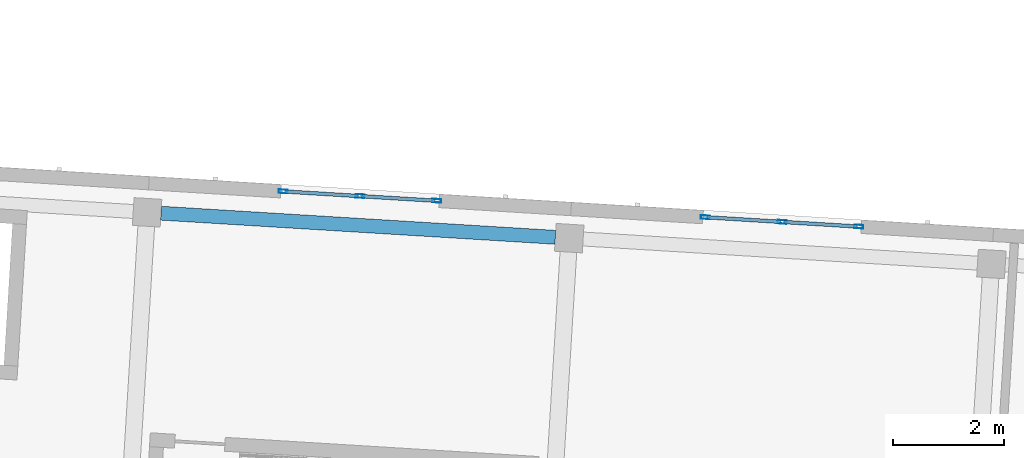
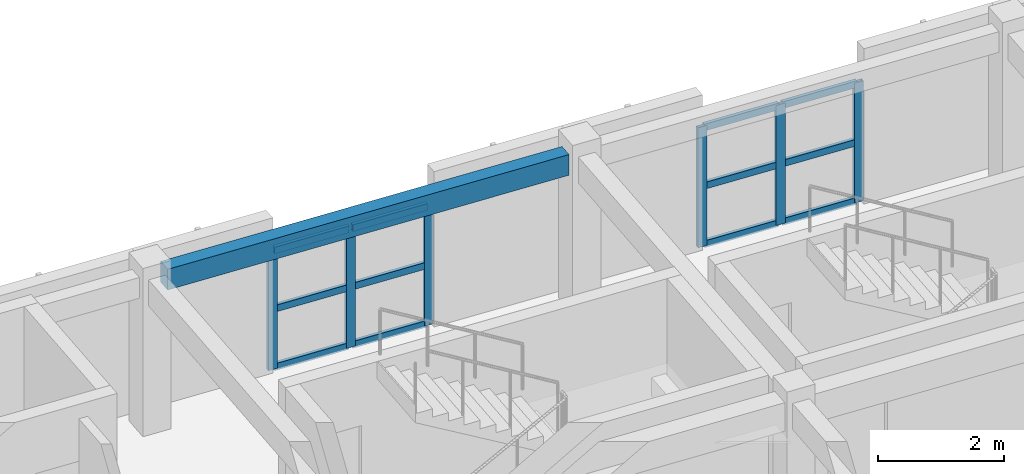
# One storey, part 7 of 66: 18 members, 1 beam, 2 elements without a shape of their own.
"""IFC4 building model written with IfcOpenShell, lengths in metres."""

from ifc_helpers import new_model, si_unit, direction, frame, origin, origin_2d, place, context, subcontext, project, spatial, rectangle, hollow_rectangle, extrude, material, material_profile, profile_set, type_object, element, aggregate, save


model = new_model("IFC4")

# Units and contexts
model_context = context("Model", 3, precision=1e-05, world=origin(), true_north=direction((0.0, 1.0)))
body_context = subcontext(model_context, "Body", "Model", "MODEL_VIEW")
ifc_project = project(units=[si_unit("LENGTHUNIT", "METRE"), si_unit("AREAUNIT", "SQUARE_METRE"), si_unit("VOLUMEUNIT", "CUBIC_METRE"), si_unit("PLANEANGLEUNIT", "RADIAN"), si_unit("MASSUNIT", "GRAM", prefix="KILO")], contexts=[model_context])

# Site, building, storey
site_placement = place(None, origin())
site = spatial("IfcSite", under=ifc_project, at=site_placement, CompositionType="ELEMENT")
building_placement = place(site_placement, origin())
building = spatial("IfcBuilding", under=site, at=building_placement, Name="Kestramere Prow Commons", CompositionType="ELEMENT")
storey_placement = place(building_placement, frame((0.0, 0.0, 14.89990234375)))
storey = spatial("IfcBuildingStorey", under=building, at=storey_placement, Name="L04", CompositionType="ELEMENT", Elevation=14.89990234375)

# Curtain wall, members
ifc_material_1 = material(Name="Anodised Aluminium and Low-E Glass", Category="aluminium")
curtain_wall_type = type_object("IfcCurtainWallType", Name="CW-03 Glazed Curtain Wall 2830x2320", PredefinedType="USERDEFINED", material=ifc_material_1)
curtain_wall_1_placement = place(storey_placement, origin())
curtain_wall_1 = element("IfcCurtainWall", 1, at=curtain_wall_1_placement, inside=storey, type_object=curtain_wall_type, Name="Block C L04 Stairwell Vertical Glazing 2", ObjectType="GLAZED CURTAIN WALL", PredefinedType="USERDEFINED")
ifc_material_2 = material(Name="Anodised Aluminium 6063-T6", Category="aluminium")
ifc_material_profile_1 = material_profile(ifc_material_2, hollow_rectangle(XDim=0.06494140625, YDim=0.159912109375, WallThickness=0.00390625, at=origin_2d()), Name="ALU-MUL 65x160")
ifc_profile_set_1 = profile_set([ifc_material_profile_1], Name="Anodised Aluminium 6063-T6")
member_type_1 = type_object("IfcMemberType", Name="CW-MUL-65x160", PredefinedType="MULLION", material=ifc_profile_set_1)
member_1_placement = place(storey_placement, frame((70.7275390625, 65.975830078125, 0.0), z_axis=(0.0, 0.0, 1.0), x_axis=(0.061048420708, 0.99813480569, 0.0)))
member_1 = element("IfcMember", 2, at=member_1_placement, type_object=member_type_1, Name="CW-03 mullion 1", PredefinedType="MULLION", context=body_context, shape_type="SweptSolid", body=[
    extrude(hollow_rectangle(XDim=0.06494140625, YDim=0.159912109375, WallThickness=0.00390625, at=origin_2d()), origin(), (0.0, 0.0, 1.0), 2.320068359375),
])
member_2_placement = place(storey_placement, frame((72.107421875, 65.8916015625, 0.0), z_axis=(0.0, 0.0, 1.0), x_axis=(0.061048420708, 0.99813480569, 0.0)))
member_2 = element("IfcMember", 3, at=member_2_placement, type_object=member_type_1, Name="CW-03 mullion 2", PredefinedType="MULLION", context=body_context, shape_type="SweptSolid", body=[
    extrude(hollow_rectangle(XDim=0.06494140625, YDim=0.159912109375, WallThickness=0.00390625, at=origin_2d()), origin(), (0.0, 0.0, 1.0), 2.320068359375),
])
member_3_placement = place(storey_placement, frame((73.4873046875, 65.80712890625, 0.0), z_axis=(0.0, 0.0, 1.0), x_axis=(0.061048420708, 0.99813480569, 0.0)))
member_3 = element("IfcMember", 4, at=member_3_placement, type_object=member_type_1, Name="CW-03 mullion 3", PredefinedType="MULLION", context=body_context, shape_type="SweptSolid", body=[
    extrude(hollow_rectangle(XDim=0.06494140625, YDim=0.159912109375, WallThickness=0.00390625, at=origin_2d()), origin(), (0.0, 0.0, 1.0), 2.320068359375),
])

curtain_wall_2_placement = place(storey_placement, origin())
curtain_wall_2 = element("IfcCurtainWall", 5, at=curtain_wall_2_placement, inside=storey, type_object=curtain_wall_type, Name="Block C L04 Stairwell Vertical Glazing 3", ObjectType="GLAZED CURTAIN WALL", PredefinedType="USERDEFINED")
member_4_placement = place(storey_placement, frame((78.313232421875, 65.511962890625, 0.0), z_axis=(0.0, 0.0, 1.0), x_axis=(0.061048399176, 0.998134807007, 0.0)))
member_4 = element("IfcMember", 6, at=member_4_placement, type_object=member_type_1, Name="CW-03 mullion 1", PredefinedType="MULLION", context=body_context, shape_type="SweptSolid", body=[
    extrude(hollow_rectangle(XDim=0.06494140625, YDim=0.159912109375, WallThickness=0.00390625, at=origin_2d()), origin(), (0.0, 0.0, 1.0), 2.320068359375),
])
member_5_placement = place(storey_placement, frame((79.693115234375, 65.427490234375, 0.0), z_axis=(0.0, 0.0, 1.0), x_axis=(0.061048399176, 0.998134807007, 0.0)))
member_5 = element("IfcMember", 7, at=member_5_placement, type_object=member_type_1, Name="CW-03 mullion 2", PredefinedType="MULLION", context=body_context, shape_type="SweptSolid", body=[
    extrude(hollow_rectangle(XDim=0.06494140625, YDim=0.159912109375, WallThickness=0.00390625, at=origin_2d()), origin(), (0.0, 0.0, 1.0), 2.320068359375),
])
member_6_placement = place(storey_placement, frame((81.072998046875, 65.34326171875, 0.0), z_axis=(0.0, 0.0, 1.0), x_axis=(0.061048399176, 0.998134807007, 0.0)))
member_6 = element("IfcMember", 8, at=member_6_placement, type_object=member_type_1, Name="CW-03 mullion 3", PredefinedType="MULLION", context=body_context, shape_type="SweptSolid", body=[
    extrude(hollow_rectangle(XDim=0.06494140625, YDim=0.159912109375, WallThickness=0.00390625, at=origin_2d()), origin(), (0.0, 0.0, 1.0), 2.320068359375),
])

# Member
ifc_material_profile_2 = material_profile(ifc_material_2, hollow_rectangle(XDim=0.06494140625, YDim=0.1298828125, WallThickness=0.00390625, at=origin_2d()), Name="ALU-TRN 65x130")
ifc_profile_set_2 = profile_set([ifc_material_profile_2], Name="Anodised Aluminium 6063-T6")
member_type_2 = type_object("IfcMemberType", Name="CW-TRN-65x130", PredefinedType="USERDEFINED", material=ifc_profile_set_2)
member_7_placement = place(storey_placement, frame((70.759765625, 65.973876953125, 0.03271484375), z_axis=(0.998140248091, -0.060959372865, 0.0), x_axis=(0.060959372865, 0.998140248091, 0.0)))
member_7 = element("IfcMember", 9, at=member_7_placement, type_object=member_type_2, Name="CW-03 transom 1.1", ObjectType="TRANSOM", PredefinedType="USERDEFINED", context=body_context, shape_type="SweptSolid", body=[
    extrude(hollow_rectangle(XDim=0.06494140625, YDim=0.1298828125, WallThickness=0.00390625, at=origin_2d()), origin(), (0.0, 0.0, 1.0), 1.317626953125),
])

member_8_placement = place(storey_placement, frame((70.759765625, 65.973876953125, 1.16015625), z_axis=(0.998140248091, -0.060959372865, 0.0), x_axis=(0.060959372865, 0.998140248091, 0.0)))
member_8 = element("IfcMember", 10, at=member_8_placement, type_object=member_type_2, Name="CW-03 transom 1.2", ObjectType="TRANSOM", PredefinedType="USERDEFINED", context=body_context, shape_type="SweptSolid", body=[
    extrude(hollow_rectangle(XDim=0.06494140625, YDim=0.1298828125, WallThickness=0.00390625, at=origin_2d()), origin(), (0.0, 0.0, 1.0), 1.317626953125),
])

member_9_placement = place(storey_placement, frame((70.759765625, 65.973876953125, 2.28759765625), z_axis=(0.998140248091, -0.060959372865, 0.0), x_axis=(0.060959372865, 0.998140248091, 0.0)))
member_9 = element("IfcMember", 11, at=member_9_placement, type_object=member_type_2, Name="CW-03 transom 1.3", ObjectType="TRANSOM", PredefinedType="USERDEFINED", context=body_context, shape_type="SweptSolid", body=[
    extrude(hollow_rectangle(XDim=0.06494140625, YDim=0.1298828125, WallThickness=0.00390625, at=origin_2d()), origin(), (0.0, 0.0, 1.0), 1.317626953125),
])

member_10_placement = place(storey_placement, frame((72.139892578125, 65.889404296875, 0.03271484375), z_axis=(0.998139559366, -0.06097064891, 0.0), x_axis=(0.06097064891, 0.998139559366, 0.0)))
member_10 = element("IfcMember", 12, at=member_10_placement, type_object=member_type_2, Name="CW-03 transom 2.1", ObjectType="TRANSOM", PredefinedType="USERDEFINED", context=body_context, shape_type="SweptSolid", body=[
    extrude(hollow_rectangle(XDim=0.06494140625, YDim=0.1298828125, WallThickness=0.00390625, at=origin_2d()), origin(), (0.0, 0.0, 1.0), 1.3173828125),
])

member_11_placement = place(storey_placement, frame((72.139892578125, 65.889404296875, 1.16015625), z_axis=(0.998139559366, -0.06097064891, 0.0), x_axis=(0.06097064891, 0.998139559366, 0.0)))
member_11 = element("IfcMember", 13, at=member_11_placement, type_object=member_type_2, Name="CW-03 transom 2.2", ObjectType="TRANSOM", PredefinedType="USERDEFINED", context=body_context, shape_type="SweptSolid", body=[
    extrude(hollow_rectangle(XDim=0.06494140625, YDim=0.1298828125, WallThickness=0.00390625, at=origin_2d()), origin(), (0.0, 0.0, 1.0), 1.3173828125),
])

member_12_placement = place(storey_placement, frame((72.139892578125, 65.889404296875, 2.28759765625), z_axis=(0.998139559366, -0.06097064891, 0.0), x_axis=(0.06097064891, 0.998139559366, 0.0)))
member_12 = element("IfcMember", 14, at=member_12_placement, type_object=member_type_2, Name="CW-03 transom 2.3", ObjectType="TRANSOM", PredefinedType="USERDEFINED", context=body_context, shape_type="SweptSolid", body=[
    extrude(hollow_rectangle(XDim=0.06494140625, YDim=0.1298828125, WallThickness=0.00390625, at=origin_2d()), origin(), (0.0, 0.0, 1.0), 1.3173828125),
])

aggregate(curtain_wall_1, [member_1, member_2, member_3, member_7, member_8, member_9, member_10, member_11, member_12])

member_13_placement = place(storey_placement, frame((78.345703125, 65.510009765625, 0.03271484375), z_axis=(0.99812826429, -0.061155277983, 0.0), x_axis=(0.061155277983, 0.99812826429, 0.0)))
member_13 = element("IfcMember", 15, at=member_13_placement, type_object=member_type_2, Name="CW-03 transom 1.1", ObjectType="TRANSOM", PredefinedType="USERDEFINED", context=body_context, shape_type="SweptSolid", body=[
    extrude(hollow_rectangle(XDim=0.06494140625, YDim=0.1298828125, WallThickness=0.00390625, at=origin_2d()), origin(), (0.0, 0.0, 1.0), 1.3173828125),
])

member_14_placement = place(storey_placement, frame((78.345703125, 65.510009765625, 1.16015625), z_axis=(0.99812826429, -0.061155277983, 0.0), x_axis=(0.061155277983, 0.99812826429, 0.0)))
member_14 = element("IfcMember", 16, at=member_14_placement, type_object=member_type_2, Name="CW-03 transom 1.2", ObjectType="TRANSOM", PredefinedType="USERDEFINED", context=body_context, shape_type="SweptSolid", body=[
    extrude(hollow_rectangle(XDim=0.06494140625, YDim=0.1298828125, WallThickness=0.00390625, at=origin_2d()), origin(), (0.0, 0.0, 1.0), 1.3173828125),
])

member_15_placement = place(storey_placement, frame((78.345703125, 65.510009765625, 2.28759765625), z_axis=(0.99812826429, -0.061155277983, 0.0), x_axis=(0.061155277983, 0.99812826429, 0.0)))
member_15 = element("IfcMember", 17, at=member_15_placement, type_object=member_type_2, Name="CW-03 transom 1.3", ObjectType="TRANSOM", PredefinedType="USERDEFINED", context=body_context, shape_type="SweptSolid", body=[
    extrude(hollow_rectangle(XDim=0.06494140625, YDim=0.1298828125, WallThickness=0.00390625, at=origin_2d()), origin(), (0.0, 0.0, 1.0), 1.3173828125),
])

member_16_placement = place(storey_placement, frame((79.7255859375, 65.425537109375, 0.03271484375), z_axis=(0.998139559366, -0.06097064891, 0.0), x_axis=(0.06097064891, 0.998139559366, 0.0)))
member_16 = element("IfcMember", 18, at=member_16_placement, type_object=member_type_2, Name="CW-03 transom 2.1", ObjectType="TRANSOM", PredefinedType="USERDEFINED", context=body_context, shape_type="SweptSolid", body=[
    extrude(hollow_rectangle(XDim=0.06494140625, YDim=0.1298828125, WallThickness=0.00390625, at=origin_2d()), origin(), (0.0, 0.0, 1.0), 1.3173828125),
])

member_17_placement = place(storey_placement, frame((79.7255859375, 65.425537109375, 1.16015625), z_axis=(0.998139559366, -0.06097064891, 0.0), x_axis=(0.06097064891, 0.998139559366, 0.0)))
member_17 = element("IfcMember", 19, at=member_17_placement, type_object=member_type_2, Name="CW-03 transom 2.2", ObjectType="TRANSOM", PredefinedType="USERDEFINED", context=body_context, shape_type="SweptSolid", body=[
    extrude(hollow_rectangle(XDim=0.06494140625, YDim=0.1298828125, WallThickness=0.00390625, at=origin_2d()), origin(), (0.0, 0.0, 1.0), 1.3173828125),
])

member_18_placement = place(storey_placement, frame((79.7255859375, 65.425537109375, 2.28759765625), z_axis=(0.998139559366, -0.06097064891, 0.0), x_axis=(0.06097064891, 0.998139559366, 0.0)))
member_18 = element("IfcMember", 20, at=member_18_placement, type_object=member_type_2, Name="CW-03 transom 2.3", ObjectType="TRANSOM", PredefinedType="USERDEFINED", context=body_context, shape_type="SweptSolid", body=[
    extrude(hollow_rectangle(XDim=0.06494140625, YDim=0.1298828125, WallThickness=0.00390625, at=origin_2d()), origin(), (0.0, 0.0, 1.0), 1.3173828125),
])

aggregate(curtain_wall_2, [member_4, member_5, member_6, member_13, member_14, member_15, member_16, member_17, member_18])

# Beam
ifc_material_3 = material(Name="Precast concrete C40/50", Category="concrete")
ifc_material_profile_3 = material_profile(ifc_material_3, rectangle(XDim=0.25, YDim=0.39990234375, at=origin_2d()), Name="PC-SP 250x400")
ifc_profile_set_3 = profile_set([ifc_material_profile_3], Name="Precast concrete C40/50")
beam_type = type_object("IfcBeamType", Name="SP-EXT-01 PC-SP 250x400", PredefinedType="SPANDREL", material=ifc_profile_set_3)
beam_placement = place(storey_placement, frame((68.531982421875, 65.584228515625, 2.800048828125), z_axis=(0.998135568114, -0.061035953884, 0.0), x_axis=(0.061035953884, 0.998135568114, 0.0)))
element("IfcBeam", 21, at=beam_placement, inside=storey, type_object=beam_type, Name="Block C L04 Longitudinal Beam 4-2", PredefinedType="SPANDREL", context=body_context, shape_type="SweptSolid", body=[
    extrude(rectangle(XDim=0.25, YDim=0.39990234375, at=origin_2d()), origin(), (0.0, 0.0, 1.0), 7.099853515625),
])

save(model, "model.ifc")
